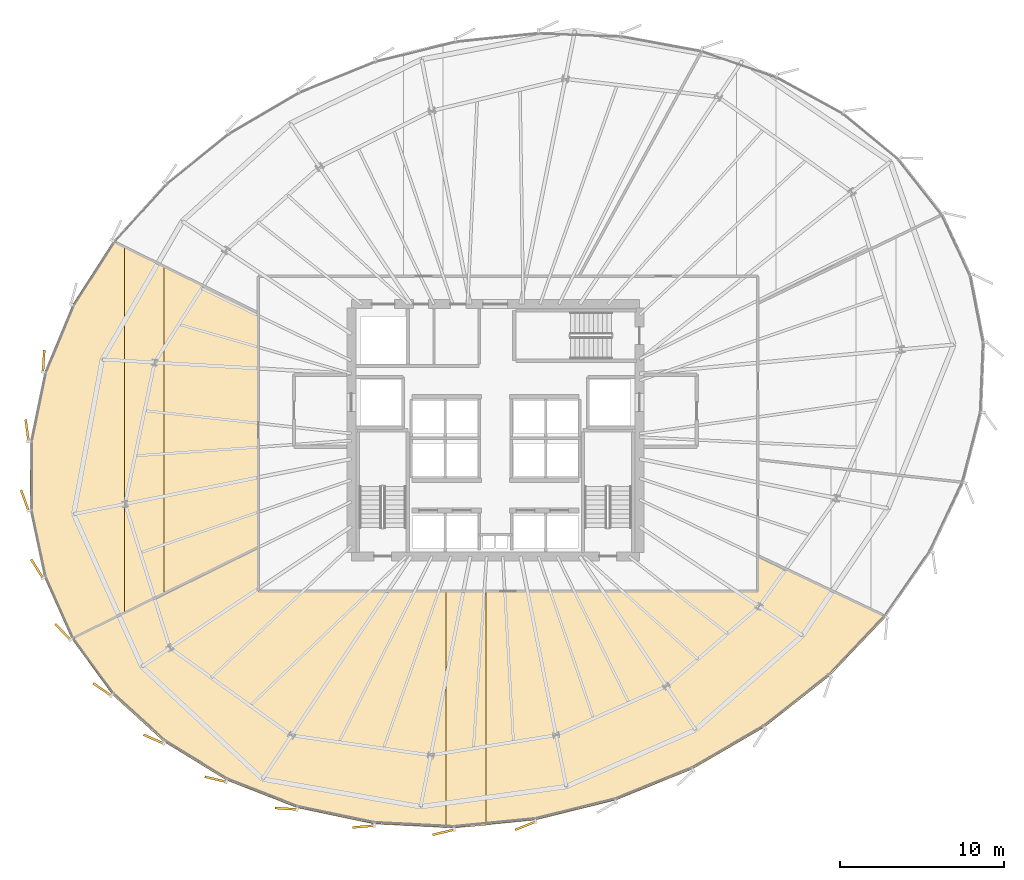
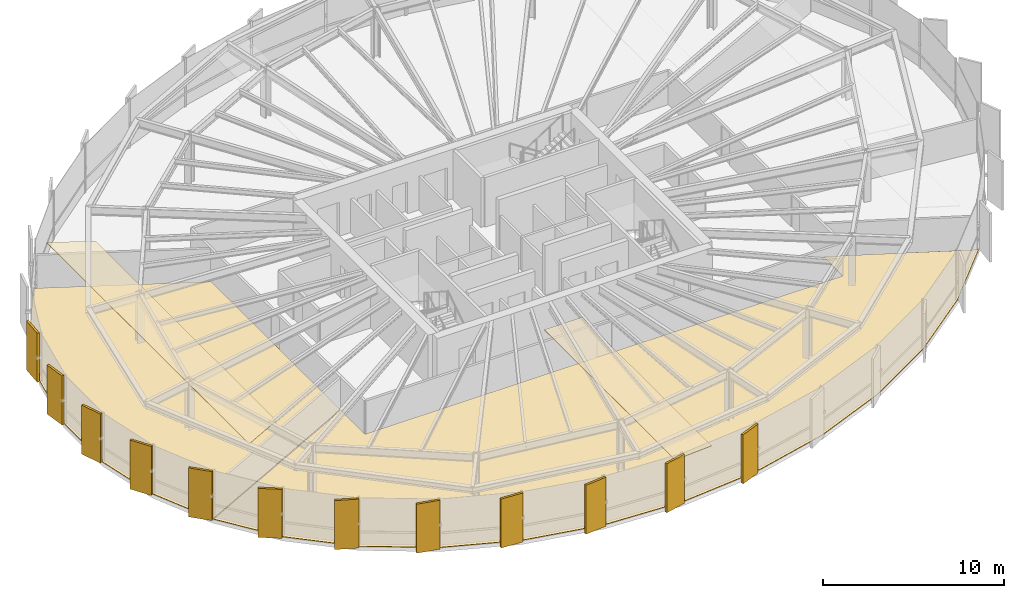
# One storey, part 32 of 35: 16 coverings.
"""IFC4 building model written with IfcOpenShell, lengths in metres."""

from ifc_helpers import new_model, si_unit, direction, frame, origin, origin_2d, place, context, subcontext, project, spatial, polyline, rectangle, outline, extrude, source, transform, mapped, material, layer, layer_set, type_object, element, save


model = new_model("IFC4")

# Units and contexts
model_context = context("Model", 3, precision=1e-05, world=origin(), true_north=direction((0.0, 1.0)))
body_context = subcontext(model_context, "Body", "Model", "MODEL_VIEW")
ifc_project = project(units=[si_unit("LENGTHUNIT", "METRE"), si_unit("AREAUNIT", "SQUARE_METRE"), si_unit("VOLUMEUNIT", "CUBIC_METRE"), si_unit("PLANEANGLEUNIT", "RADIAN"), si_unit("MASSUNIT", "GRAM", prefix="KILO"), si_unit("THERMODYNAMICTEMPERATUREUNIT", "KELVIN")], contexts=[model_context])

# Site, building, storey
site_placement = place(None, origin())
site = spatial("IfcSite", under=ifc_project, at=site_placement, CompositionType="ELEMENT")
building_placement = place(site_placement, origin())
building = spatial("IfcBuilding", under=site, at=building_placement, Name="Kethvar Cultural Tower", CompositionType="ELEMENT")
storey_placement = place(building_placement, frame((0.0, 0.0, 107.199951171875)))
storey = spatial("IfcBuildingStorey", under=building, at=storey_placement, Name="L26", CompositionType="ELEMENT", Elevation=107.199951171875)

# Coverings
ifc_material_1 = material(Name="Acoustic Mineral Fibre Ceiling")
ifc_layer_1 = layer(ifc_material_1, 0.0400390625, Name="Acoustic Mineral Fibre Ceiling")
ifc_layer_set_1 = layer_set([ifc_layer_1], Name="Acoustic Mineral Fibre Ceiling (40 mm)")
covering_type_1 = type_object("IfcCoveringType", Name="CV-ACOUSTIC-CEIL", PredefinedType="CEILING", material=ifc_layer_set_1)
covering_1_placement = place(storey_placement, frame((0.0, 0.0, 3.0)))
element("IfcCovering", 1, at=covering_1_placement, inside=storey, type_object=covering_type_1, Name="L26 Room 01 Acoustic Ceiling Panel", PredefinedType="CEILING", context=body_context, shape_type="SweptSolid", body=[
    extrude(outline(polyline([(46.215087890625, 3.666259765625), (43.784912109375, 3.5), (43.784912109375, 18.0), (46.215087890625, 18.0), (46.215087890625, 3.666259765625)])), origin(), (0.0, 0.0, 1.0), 0.0400390625),
])
covering_2_placement = place(storey_placement, frame((0.0, 0.0, 3.0)))
element("IfcCovering", 2, at=covering_2_placement, inside=storey, type_object=covering_type_1, Name="L26 Room 06 Acoustic Ceiling Panel", PredefinedType="CEILING", context=body_context, shape_type="SweptSolid", body=[
    extrude(outline(polyline([(26.56787109375, 37.8359375), (26.56787109375, 17.811279296875), (24.137939453125, 16.6142578125), (24.137939453125, 39.03857421875), (26.56787109375, 37.8359375)])), origin(), (0.0, 0.0, 1.0), 0.0400390625),
])
ifc_material_2 = material(Name="Architectural Oak Timber", Category="wood")
ifc_layer_2 = layer(ifc_material_2, 0.02490234375, Name="Architectural Oak Timber", Category="wood")
ifc_layer_set_2 = layer_set([ifc_layer_2], Name="Architectural Oak Timber (25 mm)")
covering_type_2 = type_object("IfcCoveringType", Name="CV-OAK-FLOOR", PredefinedType="FLOORING", material=ifc_layer_set_2)
covering_3_placement = place(storey_placement, origin())
element("IfcCovering", 3, at=covering_3_placement, inside=storey, type_object=covering_type_2, Name="L26 Room 01 Floor Finish", PredefinedType="FLOORING", context=body_context, shape_type="SweptSolid", body=[
    extrude(outline(polyline([(67.202392578125, 12.806396484375), (63.224853515625, 9.674072265625), (58.8310546875, 7.11962890625), (54.13818359375, 5.21533203125), (49.241455078125, 4.00390625), (44.2705078125, 3.515380859375), (39.37646484375, 3.764892578125), (34.708251953125, 4.7451171875), (30.40771484375, 6.425537109375), (26.605224609375, 8.755615234375), (23.416748046875, 11.663818359375), (20.951416015625, 15.044677734375), (32.31005859375, 20.639892578125), (32.330078125, 17.9599609375), (62.83203125, 17.960205078125), (62.85009765625, 20.1123046875), (70.620361328125, 16.40087890625), (67.202392578125, 12.806396484375)])), origin(), (0.0, 0.0, 1.0), 0.025146484375),
])
covering_4_placement = place(storey_placement, origin())
element("IfcCovering", 4, at=covering_4_placement, inside=storey, type_object=covering_type_2, Name="L26 Room 06 Floor Finish", PredefinedType="FLOORING", context=body_context, shape_type="SweptSolid", body=[
    extrude(outline(polyline([(19.24609375, 18.84716796875), (18.390380859375, 22.904296875), (18.39794921875, 27.110107421875), (19.26806640625, 31.337158203125), (20.974609375, 35.45703125), (23.45751953125, 39.330810546875), (32.31005859375, 34.949462890625), (32.31005859375, 20.684326171875), (20.930908203125, 15.0791015625), (19.24609375, 18.84716796875)])), origin(), (0.0, 0.0, 1.0), 0.025146484375),
])
ifc_material_3 = material(Name="Extruded Architectural Terracotta", Category="masonry")
ifc_layer_3 = layer(ifc_material_3, 0.135009765625, Name="Extruded Architectural Terracotta", Category="masonry")
ifc_layer_set_3 = layer_set([ifc_layer_3], Name="Extruded Architectural Terracotta (135 mm)")
covering_type_3 = type_object("IfcCoveringType", Name="Terracotta Facade Fin FIN-02", PredefinedType="CLADDING", material=ifc_layer_set_3)
shared_shape = source(origin(), body_context, "Body", "SweptSolid", [
    extrude(rectangle(XDim=1.35009765625, YDim=0.135009765625, at=origin_2d()), origin(), (0.0, 0.0, 1.0), 3.31005859375),
])
for number, where, z_axis, x_axis, name in (
    (5, (19.213134765625, 32.032958984375, 0.02001953125), (0.0, 0.0, 1.0), (0.063313076471, 0.997993714583, 0.0), "L26 Vertical Terracotta Fin 3.4"),
    (6, (18.205078125, 27.781005859375, 0.02001953125), (0.0, 0.0, 1.0), (-0.137444546037, 0.990509463238, 0.0), "L26 Vertical Terracotta Fin 3.5"),
    (7, (18.062255859375, 23.520263671875, 0.02001953125), (0.0, 0.0, 1.0), (-0.340543656265, 0.940228705251, 0.0), "L26 Vertical Terracotta Fin 3.6"),
    (8, (18.811279296875, 19.344482421875, 0.02001953125), (0.0, 0.0, 1.0), (-0.531250720758, 0.847214655028, 0.0), "L26 Vertical Terracotta Fin 4.1"),
    (9, (20.38671875, 15.489501953125, 0.02001953125), (0.0, 0.0, 1.0), (-0.695912796592, 0.718126297763, 0.0), "L26 Vertical Terracotta Fin 4.2"),
    (10, (22.79052734375, 11.972412109375, 0.02001953125), (0.0, 0.0, 1.0), (-0.825409201191, 0.564534897583, 0.0), "L26 Vertical Terracotta Fin 4.3"),
    (11, (25.932373046875, 8.9404296875, 0.02001953125), (0.0, 0.0, 1.0), (-0.917060074385, 0.398749068925, 0.0), "L26 Vertical Terracotta Fin 4.4"),
    (12, (29.712890625, 6.48876953125, 0.02001953125), (0.0, 0.0, 1.0), (-0.973018030618, 0.230729088093, 0.0), "L26 Vertical Terracotta Fin 4.5"),
    (13, (34.0126953125, 4.69287109375, 0.02001953125), (0.0, 0.0, 1.0), (-0.997731519333, 0.067318759124, 0.0), "L26 Vertical Terracotta Fin 4.6"),
    (14, (38.736328125, 3.603515625, 0.02001953125), (0.0, 0.0, 1.0), (-0.996072034691, -0.088546607536, 0.0), "L26 Vertical Terracotta Fin 5.1"),
    (15, (43.622802734375, 3.2568359375, 0.02001953125), (0.0, 0.0, 1.0), (-0.971919945734, -0.235311748717, 0.0), "L26 Vertical Terracotta Fin 5.2"),
    (16, (48.6376953125, 3.654541015625, 0.02001953125), (0.0, 0.0, 1.0), (-0.927836253899, -0.372987782576, 0.0), "L26 Vertical Terracotta Fin 5.3"),
):
    element("IfcCovering", number, at=place(storey_placement, frame(where, z_axis=z_axis, x_axis=x_axis)), inside=storey, type_object=covering_type_3, Name=name, PredefinedType="CLADDING", context=body_context, shape_type="MappedRepresentation", body=[
        mapped(shared_shape, transform((0.0, 0.0, 0.0), scale=1.0)),
    ])

save(model, "model.ifc")
